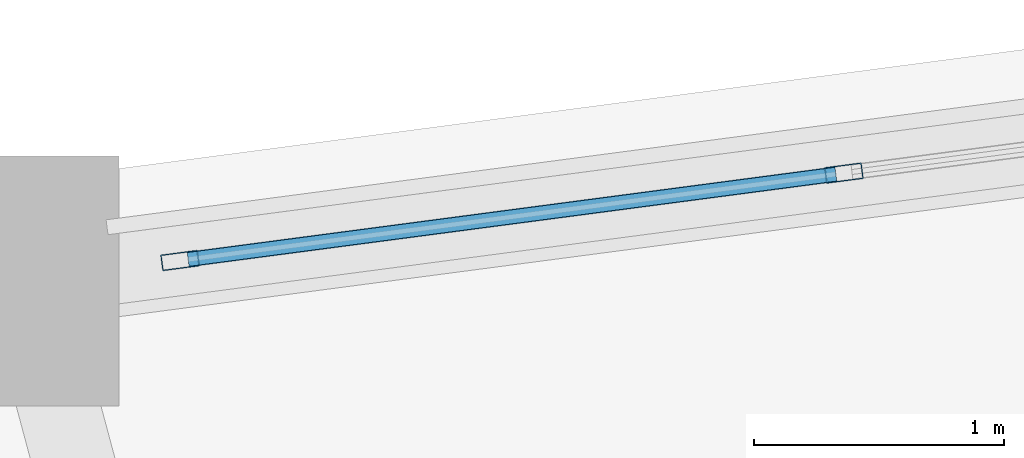
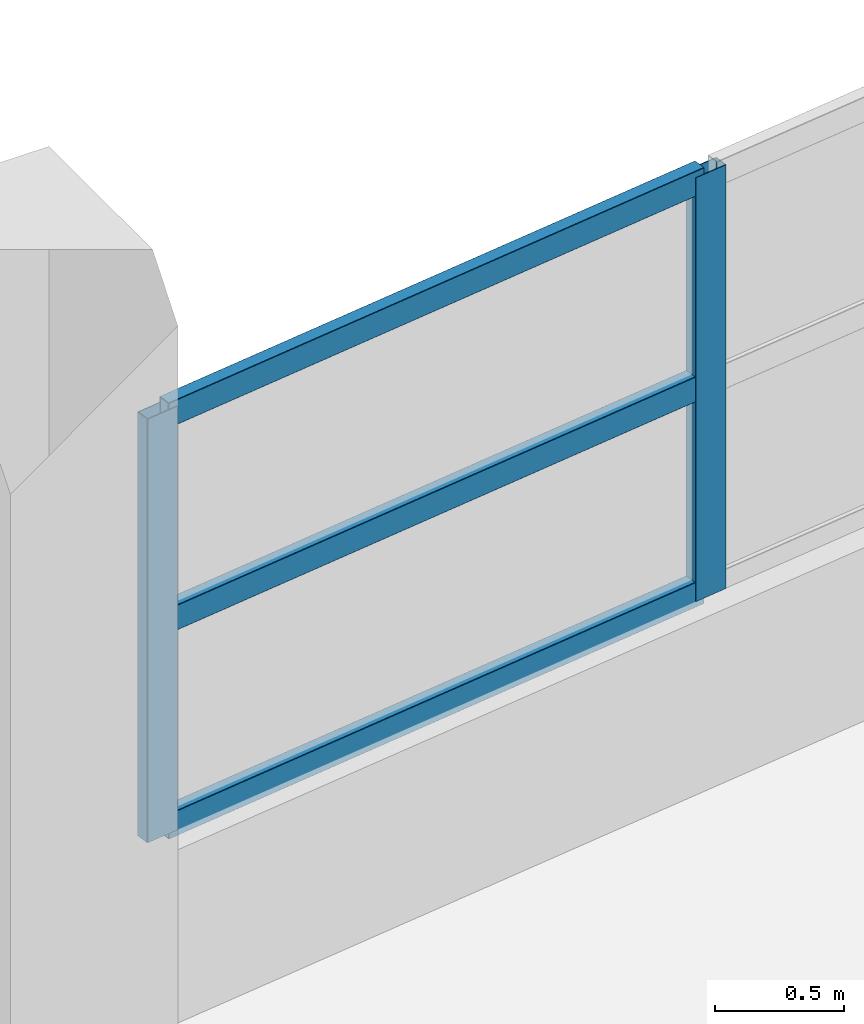
# One storey, part 42 of 88: 5 members, 1 element without a shape of its own.
"""IFC4 building model written with IfcOpenShell, lengths in metres."""

from ifc_helpers import new_model, si_unit, direction, frame, origin, origin_2d, place, context, subcontext, project, spatial, hollow_rectangle, extrude, material, layer, layer_set, material_profile, profile_set, type_object, element, aggregate, save


model = new_model("IFC4")

# Units and contexts
model_context = context("Model", 3, precision=1e-05, world=origin(), true_north=direction((0.0, 1.0)))
body_context = subcontext(model_context, "Body", "Model", "MODEL_VIEW")
ifc_project = project(units=[si_unit("LENGTHUNIT", "METRE"), si_unit("AREAUNIT", "SQUARE_METRE"), si_unit("VOLUMEUNIT", "CUBIC_METRE"), si_unit("PLANEANGLEUNIT", "RADIAN"), si_unit("MASSUNIT", "GRAM", prefix="KILO")], contexts=[model_context])

# Site, building, storey
site_placement = place(None, origin())
site = spatial("IfcSite", under=ifc_project, at=site_placement, CompositionType="ELEMENT")
building_placement = place(site_placement, origin())
building = spatial("IfcBuilding", under=site, at=building_placement, Name="Vespera Passage Community Centre", CompositionType="ELEMENT")
storey_placement = place(building_placement, frame((0.0, 0.0, 16.5)))
storey = spatial("IfcBuildingStorey", under=building, at=storey_placement, Name="L04", CompositionType="ELEMENT", Elevation=16.5)

# Curtain wall, members
ifc_material_1 = material(Name="Anodized aluminium 6063-T6", Category="aluminium")
ifc_layer = layer(ifc_material_1, 0.159912109375)
ifc_layer_set = layer_set([ifc_layer], Name="Anodized aluminium 6063-T6")
curtain_wall_type = type_object("IfcCurtainWallType", Name="CW-59E", PredefinedType="NOTDEFINED", material=ifc_layer_set)
curtain_wall_placement = place(storey_placement, origin())
curtain_wall = element("IfcCurtainWall", 1, at=curtain_wall_placement, inside=storey, type_object=curtain_wall_type, Name="V4 L04 Outer Ribbon Curtain Wall 6", PredefinedType="NOTDEFINED")
ifc_material_2 = material(Name="Anodized aluminium 6063-T6", Category="aluminium")
ifc_material_profile_1 = material_profile(ifc_material_2, hollow_rectangle(XDim=0.06494140625, YDim=0.14990234375, WallThickness=0.00390625, InnerFilletRadius=0.001953125, OuterFilletRadius=0.00390625, at=origin_2d()), Name="ALU150X65X4")
ifc_profile_set_1 = profile_set([ifc_material_profile_1], Name="Anodized aluminium 6063-T6")
member_type_1 = type_object("IfcMemberType", Name="MB-CWM-150E", PredefinedType="MULLION", material=ifc_profile_set_1)
member_1_placement = place(storey_placement, frame((66.688720703125, 110.11083984375, 0.820068359375), z_axis=(0.0, 0.0, 1.0), x_axis=(-0.130530818696, 0.991444252276, 0.0)))
member_1 = element("IfcMember", 2, at=member_1_placement, type_object=member_type_1, Name="CW-59E mullion 1", PredefinedType="MULLION", context=body_context, shape_type="SweptSolid", body=[
    extrude(hollow_rectangle(XDim=0.06494140625, YDim=0.14990234375, WallThickness=0.00390625, InnerFilletRadius=0.001953125, OuterFilletRadius=0.00390625, at=origin_2d()), origin(), (0.0, 0.0, 1.0), 2.005615234375),
])
member_2_placement = place(storey_placement, frame((69.345458984375, 110.460693359375, 0.820068359375), z_axis=(0.0, 0.0, 1.0), x_axis=(-0.130530818696, 0.991444252276, 0.0)))
member_2 = element("IfcMember", 3, at=member_2_placement, type_object=member_type_1, Name="CW-59E mullion 2", PredefinedType="MULLION", context=body_context, shape_type="SweptSolid", body=[
    extrude(hollow_rectangle(XDim=0.06494140625, YDim=0.14990234375, WallThickness=0.00390625, InnerFilletRadius=0.001953125, OuterFilletRadius=0.00390625, at=origin_2d()), origin(), (0.0, 0.0, 1.0), 2.005615234375),
])
ifc_material_3 = material(Name="Anodized aluminium 6063-T6", Category="aluminium")
ifc_material_profile_2 = material_profile(ifc_material_3, hollow_rectangle(XDim=0.06005859375, YDim=0.1201171875, WallThickness=0.00390625, InnerFilletRadius=0.001953125, OuterFilletRadius=0.00390625, at=origin_2d()), Name="ALU120X60X4")
ifc_profile_set_2 = profile_set([ifc_material_profile_2], Name="Anodized aluminium 6063-T6")
member_type_2 = type_object("IfcMemberType", Name="MB-CWT-120E", PredefinedType="USERDEFINED", material=ifc_profile_set_2)
member_3_placement = place(storey_placement, frame((66.720947265625, 110.114990234375, 0.85009765625), z_axis=(0.991443486455, 0.130536635342, 0.0), x_axis=(-0.130536635342, 0.991443486455, 0.0)))
member_3 = element("IfcMember", 4, at=member_3_placement, type_object=member_type_2, Name="CW-59E transom 1.1", ObjectType="TRANSOM", PredefinedType="USERDEFINED", context=body_context, shape_type="SweptSolid", body=[
    extrude(hollow_rectangle(XDim=0.06005859375, YDim=0.1201171875, WallThickness=0.00390625, InnerFilletRadius=0.001953125, OuterFilletRadius=0.00390625, at=origin_2d()), origin(), (0.0, 0.0, 1.0), 2.61474609375),
])
member_4_placement = place(storey_placement, frame((66.720947265625, 110.114990234375, 1.82275390625), z_axis=(0.991443486455, 0.130536635342, 0.0), x_axis=(-0.130536635342, 0.991443486455, 0.0)))
member_4 = element("IfcMember", 5, at=member_4_placement, type_object=member_type_2, Name="CW-59E transom 1.2", ObjectType="TRANSOM", PredefinedType="USERDEFINED", context=body_context, shape_type="SweptSolid", body=[
    extrude(hollow_rectangle(XDim=0.06005859375, YDim=0.1201171875, WallThickness=0.00390625, InnerFilletRadius=0.001953125, OuterFilletRadius=0.00390625, at=origin_2d()), origin(), (0.0, 0.0, 1.0), 2.61474609375),
])
member_5_placement = place(storey_placement, frame((66.720947265625, 110.114990234375, 2.795654296875), z_axis=(0.991443486455, 0.130536635342, 0.0), x_axis=(-0.130536635342, 0.991443486455, 0.0)))
member_5 = element("IfcMember", 6, at=member_5_placement, type_object=member_type_2, Name="CW-59E transom 1.3", ObjectType="TRANSOM", PredefinedType="USERDEFINED", context=body_context, shape_type="SweptSolid", body=[
    extrude(hollow_rectangle(XDim=0.06005859375, YDim=0.1201171875, WallThickness=0.00390625, InnerFilletRadius=0.001953125, OuterFilletRadius=0.00390625, at=origin_2d()), origin(), (0.0, 0.0, 1.0), 2.61474609375),
])
aggregate(curtain_wall, [member_1, member_2, member_3, member_4, member_5])

save(model, "model.ifc")
